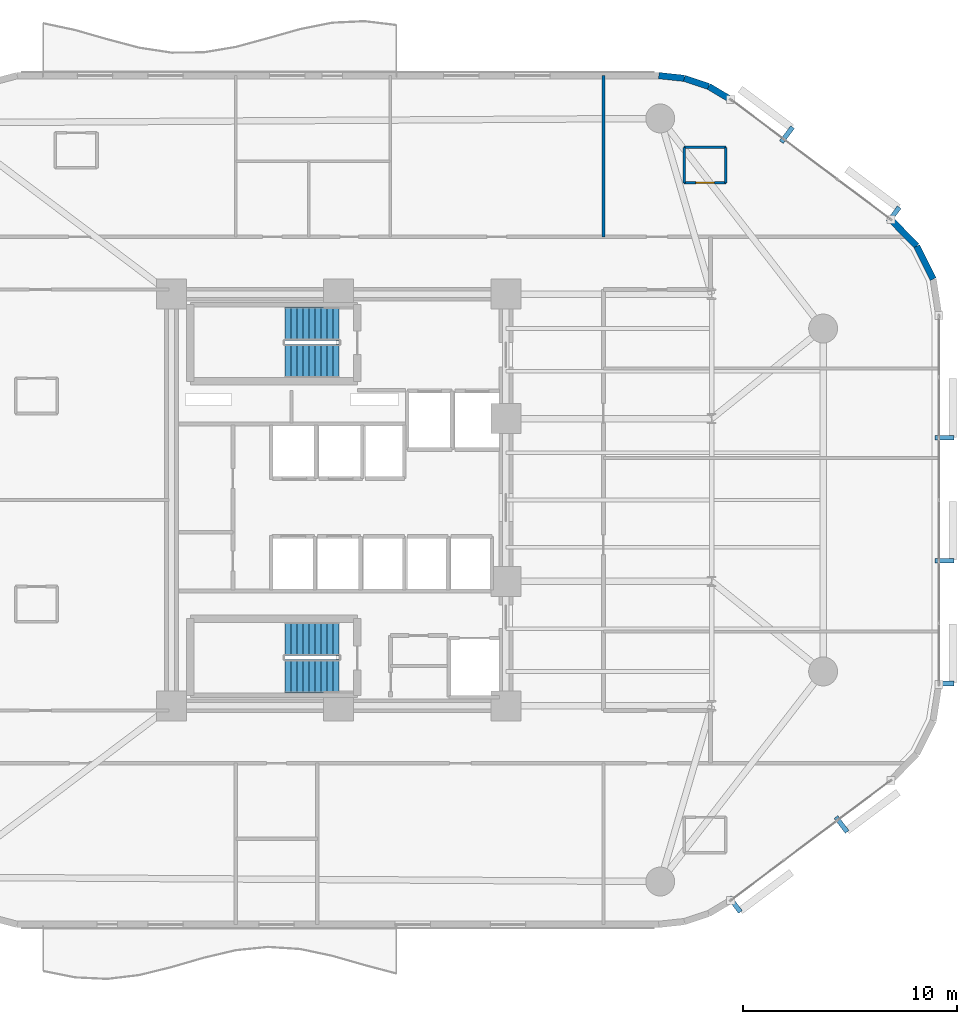
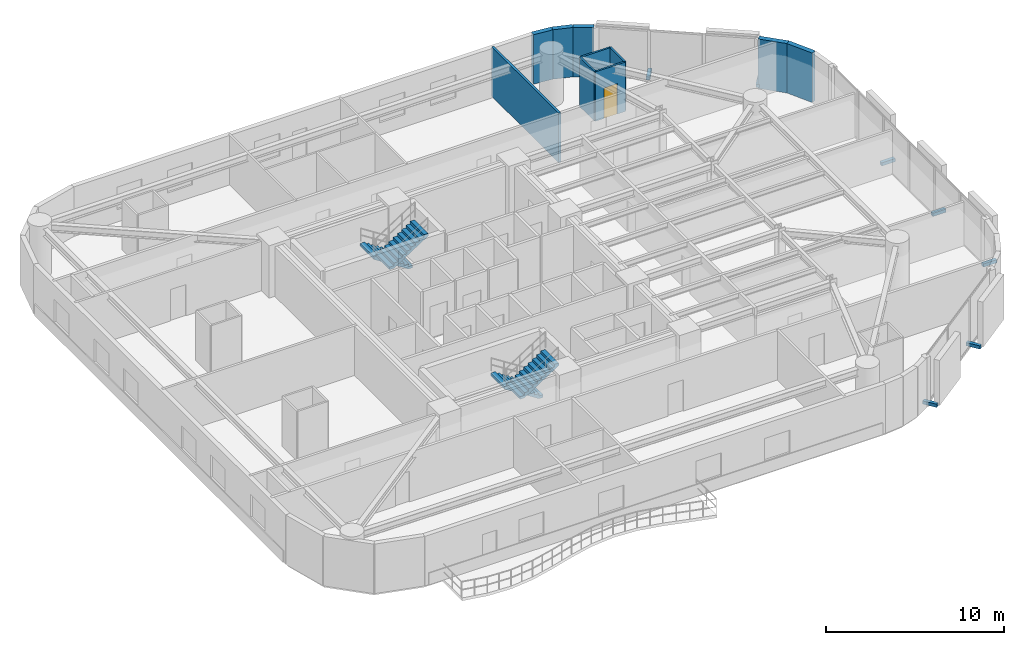
# One storey, part 13 of 15: 10 walls, 7 discrete accessories, 4 stair flights, 1 door, 1 opening, 2 elements without a shape of their own.
"""IFC4 building model written with IfcOpenShell, lengths in metres."""

from ifc_helpers import new_model, si_unit, direction, frame, frame_2d, origin, origin_2d, place, context, subcontext, project, spatial, polyline, rectangle, outline, extrude, material, layer, layer_set, type_object, element, fill, aggregate, save


model = new_model("IFC4")

# Units and contexts
model_context = context("Model", 3, precision=1e-05, world=origin(), true_north=direction((0.0, 1.0)))
body_context = subcontext(model_context, "Body", "Model", "MODEL_VIEW")
ifc_project = project(units=[si_unit("LENGTHUNIT", "METRE"), si_unit("AREAUNIT", "SQUARE_METRE"), si_unit("VOLUMEUNIT", "CUBIC_METRE"), si_unit("PLANEANGLEUNIT", "RADIAN"), si_unit("MASSUNIT", "GRAM", prefix="KILO")], contexts=[model_context])

# Site, building, storey
site_placement = place(None, origin())
site = spatial("IfcSite", under=ifc_project, at=site_placement, CompositionType="ELEMENT")
building_placement = place(site_placement, origin())
building = spatial("IfcBuilding", under=site, at=building_placement, Name="An Khanh Terracotta Commons", CompositionType="ELEMENT")
storey_placement = place(building_placement, frame((0.0, 0.0, 122.300048828125)))
storey = spatial("IfcBuildingStorey", under=building, at=storey_placement, Name="L32", CompositionType="ELEMENT", Elevation=122.300048828125)

# Walls
ifc_material_1 = material(Name="Precast concrete C40/50", Category="concrete")
ifc_layer_1 = layer(ifc_material_1, 0.300048828125, Name="Precast concrete C40/50")
ifc_layer_set_1 = layer_set([ifc_layer_1], Name="Precast concrete C40/50")
wall_type_1 = type_object("IfcWallType", Name="WALL-EXT-300", PredefinedType="SOLIDWALL", material=ifc_layer_set_1)
for number, where, z_axis, x_axis, name in (
    (1, (57.135009765625, 34.303955078125, 0.0), (0.0, 0.0, 1.0), (-0.4472135955, 0.894427191, 0.0), "L32 Insulated Terracotta Exterior Wall 14"),
    (2, (56.364013671875, 35.845947265625, 0.0), (0.0, 0.0, 1.0), (-0.6983450845, 0.715761233201, 0.0), "L32 Insulated Terracotta Exterior Wall 15"),
):
    element("IfcWall", number, at=place(storey_placement, frame(where, z_axis=z_axis, x_axis=x_axis)), inside=storey, type_object=wall_type_1, Name=name, PredefinedType="SOLIDWALL", context=body_context, shape_type="SweptSolid", body=[
        extrude(rectangle(XDim=1.72412109375, YDim=0.300048828125, at=frame_2d((0.862060546875, 0.0))), origin(), (0.0, 0.0, 1.0), 3.39990234375),
    ])
wall_1_placement = place(storey_placement, frame((47.693115234375, 42.679931640625, 0.0), z_axis=(0.0, 0.0, 1.0), x_axis=(-0.859320591642, 0.511437308749, 0.0)))
element("IfcWall", 3, at=wall_1_placement, inside=storey, type_object=wall_type_1, Name="L32 Insulated Terracotta Exterior Wall 17", PredefinedType="SOLIDWALL", context=body_context, shape_type="SweptSolid", body=[
    extrude(rectangle(XDim=1.19873046875, YDim=0.300048828125, at=frame_2d((0.599365234375, 0.0))), origin(), (0.0, 0.0, 1.0), 3.39990234375),
])
wall_2_placement = place(storey_placement, frame((46.6630859375, 43.29296875, 0.0), z_axis=(0.0, 0.0, 1.0), x_axis=(-0.948744332129, 0.316044604847, 0.0)))
element("IfcWall", 4, at=wall_2_placement, inside=storey, type_object=wall_type_1, Name="L32 Insulated Terracotta Exterior Wall 18", PredefinedType="SOLIDWALL", context=body_context, shape_type="SweptSolid", body=[
    extrude(rectangle(XDim=1.19970703125, YDim=0.300048828125, at=frame_2d((0.599853515625, 0.0))), origin(), (0.0, 0.0, 1.0), 3.39990234375),
])
wall_3_placement = place(storey_placement, frame((45.52490234375, 43.672119140625, 0.0), z_axis=(0.0, 0.0, 1.0), x_axis=(-0.994289103787, 0.106720092254, 0.0)))
element("IfcWall", 5, at=wall_3_placement, inside=storey, type_object=wall_type_1, Name="L32 Insulated Terracotta Exterior Wall 19", PredefinedType="SOLIDWALL", context=body_context, shape_type="SweptSolid", body=[
    extrude(rectangle(XDim=1.19873046875, YDim=0.300048828125, at=frame_2d((0.599365234375, 0.0))), origin(), (0.0, 0.0, 1.0), 3.39990234375),
])
ifc_material_2 = material(Name="Acoustic Gypsum Board Partition")
ifc_layer_2 = layer(ifc_material_2, 0.14990234375, Name="Acoustic Gypsum Board Partition")
ifc_layer_set_2 = layer_set([ifc_layer_2], Name="Acoustic Gypsum Board Partition")
wall_type_2 = type_object("IfcWallType", Name="WALL-PART-150", PredefinedType="PARTITIONING", material=ifc_layer_set_2)
wall_4_placement = place(storey_placement, frame((41.75, 36.280029296875, 0.0), z_axis=(0.0, 0.0, 1.0), x_axis=(0.0, 1.0, 0.0)))
element("IfcWall", 6, at=wall_4_placement, inside=storey, type_object=wall_type_2, Name="L32 Interior Partition IW-L32-E022", PredefinedType="PARTITIONING", context=body_context, shape_type="SweptSolid", body=[
    extrude(rectangle(XDim=7.52001953125, YDim=0.14990234375, at=frame_2d((3.760009765625, 0.0))), origin(), (0.0, 0.0, 1.0), 3.39990234375),
])
ifc_material_3 = material(Name="Moisture-Resistant Cement Board Partition")
ifc_layer_3 = layer(ifc_material_3, 0.1201171875, Name="Moisture-Resistant Cement Board Partition")
ifc_layer_set_3 = layer_set([ifc_layer_3], Name="Moisture-Resistant Cement Board Partition")
wall_type_3 = type_object("IfcWallType", Name="WALL-WET-120", PredefinedType="PARTITIONING", material=ifc_layer_set_3)
wall_5_placement = place(storey_placement, frame((45.51611328125, 40.450927734375, 0.0), z_axis=(0.0, 0.0, 1.0), x_axis=(1.0, 0.0, 0.0)))
element("IfcWall", 7, at=wall_5_placement, inside=storey, type_object=wall_type_3, Name="L32 Interior Partition IW-L32-FANN-BN", PredefinedType="PARTITIONING", context=body_context, shape_type="SweptSolid", body=[
    extrude(rectangle(XDim=1.949951171875, YDim=0.1201171875, at=frame_2d((0.97509765625, 0.0))), origin(), (0.0, 0.0, 1.0), 3.39990234375),
])

# Wall, opening, door
wall_6_placement = place(storey_placement, frame((47.466064453125, 38.801025390625, 0.0), z_axis=(0.0, 0.0, 1.0), x_axis=(-1.0, 0.0, 0.0)))
wall_6 = element("IfcWall", 8, at=wall_6_placement, inside=storey, type_object=wall_type_3, Name="L32 Interior Partition IW-L32-FANN-BS", PredefinedType="PARTITIONING", context=body_context, shape_type="SweptSolid", body=[
    extrude(rectangle(XDim=1.949951171875, YDim=0.1201171875, at=frame_2d((0.97509765625, 0.0))), origin(), (0.0, 0.0, 1.0), 3.39990234375),
])
opening_placement = place(wall_6_placement, frame((0.544921875, 0.0, 0.0)))
opening = element("IfcOpeningElement", 9, at=opening_placement, cuts=wall_6, Name="Opening D-ENS", PredefinedType="OPENING", context=body_context, shape_type="SweptSolid", body=[
    extrude(rectangle(XDim=0.860107421875, YDim=2.10009765625, at=frame_2d((0.43017578125, 1.050048828125))), frame((0.0, 0.070068359375, 0.0), z_axis=(0.0, -1.0, 0.0), x_axis=(1.0, 0.0, 0.0)), (0.0, 0.0, 1.0), 0.14013671875),
])
ifc_material_4 = material(Name="Moisture-Resistant Hardwood Timber Leaf", Category="wood")
door_type = type_object("IfcDoorType", Name="DOOR-BATH-860", OperationType="NOTDEFINED", PredefinedType="DOOR", material=ifc_material_4)
door_placement = place(opening_placement, origin())
door = element("IfcDoor", 10, at=door_placement, inside=storey, type_object=door_type, Name="L32 Studio FANN En-suite Door", OperationType="SINGLE_SWING_LEFT", OverallHeight=2.10009765625, OverallWidth=0.860107421875, PredefinedType="DOOR", context=body_context, shape_type="SweptSolid", body=[
    extrude(rectangle(XDim=0.860107421875, YDim=2.10009765625, at=frame_2d((0.43017578125, 1.050048828125))), frame((0.0, 0.02490234375, 0.0), z_axis=(0.0, -1.0, 0.0), x_axis=(1.0, 0.0, 0.0)), (0.0, 0.0, 1.0), 0.050048828125),
])
fill(opening, door)

# Walls
for number, where, z_axis, x_axis, name in (
    (11, (45.51611328125, 40.450927734375, 0.0), (0.0, 0.0, 1.0), (0.0, -1.0, 0.0), "L32 Interior Partition IW-L32-FANN-BW"),
    (12, (47.466064453125, 38.801025390625, 0.0), (0.0, 0.0, 1.0), (0.0, 1.0, 0.0), "L32 Interior Partition IW-L32-FANN-BE"),
):
    element("IfcWall", number, at=place(storey_placement, frame(where, z_axis=z_axis, x_axis=x_axis)), inside=storey, type_object=wall_type_3, Name=name, PredefinedType="PARTITIONING", context=body_context, shape_type="SweptSolid", body=[
        extrude(rectangle(XDim=1.64990234375, YDim=0.1201171875, at=frame_2d((0.824951171875, 0.0))), origin(), (0.0, 0.0, 1.0), 3.39990234375),
    ])

# Stair, stair flights
stair_type = type_object("IfcStairType", Name="STAIR-CORE-1550", PredefinedType="HALF_TURN_STAIR", material=ifc_material_1)
stair_1_placement = place(storey_placement, origin())
stair_1 = element("IfcStair", 13, at=stair_1_placement, inside=storey, type_object=stair_type, Name="L32 Core Smokeproof Exit Stair ST-01", PredefinedType="HALF_TURN_STAIR")
stair_flight_type = type_object("IfcStairFlightType", Name="FLIGHT-CORE-1550", PredefinedType="STRAIGHT", material=ifc_material_1)
stair_flight_1_placement = place(storey_placement, frame((29.409912109375, 32.22509765625, 0.0), z_axis=(0.0, 0.0, 1.0), x_axis=(-1.0, 0.0, 0.0)))
stair_flight_1 = element("IfcStairFlight", 14, at=stair_flight_1_placement, type_object=stair_flight_type, Name="ST-01 flight 1", NumberOfRisers=10, NumberOfTreads=9, PredefinedType="STRAIGHT", RiserHeight=0.18, TreadLength=0.28, context=body_context, shape_type="SweptSolid", body=[
    extrude(outline(polyline([(0.0, 0.0), (0.0, 0.179931640625), (0.280029296875, 0.179931640625), (0.280029296875, 0.360107421875), (0.56005859375, 0.360107421875), (0.56005859375, 0.5400390625), (0.840087890625, 0.5400390625), (0.840087890625, 0.719970703125), (1.1201171875, 0.719970703125), (1.1201171875, 0.89990234375), (1.39990234375, 0.89990234375), (1.39990234375, 1.080078125), (1.679931640625, 1.080078125), (1.679931640625, 1.260009765625), (1.9599609375, 1.260009765625), (1.9599609375, 1.43994140625), (2.239990234375, 1.43994140625), (2.239990234375, 1.6201171875), (2.52001953125, 1.6201171875), (2.52001953125, 1.800048828125), (2.52001953125, 1.44189453125), (0.277099609375, 0.0), (0.0, 0.0)])), frame((0.0, 0.77490234375, 0.0), z_axis=(0.0, -1.0, 0.0), x_axis=(1.0, 0.0, 0.0)), (0.0, 0.0, 1.0), 1.550048828125),
])
stair_flight_2_placement = place(storey_placement, frame((26.889892578125, 30.47509765625, 1.800048828125), z_axis=(0.0, 0.0, 1.0), x_axis=(1.0, 0.0, 0.0)))
stair_flight_2 = element("IfcStairFlight", 15, at=stair_flight_2_placement, type_object=stair_flight_type, Name="ST-01 flight 2", NumberOfRisers=10, NumberOfTreads=9, PredefinedType="STRAIGHT", RiserHeight=0.18, TreadLength=0.28, context=body_context, shape_type="SweptSolid", body=[
    extrude(outline(polyline([(0.0, 0.0), (0.0, 0.179931640625), (0.280029296875, 0.179931640625), (0.280029296875, 0.360107421875), (0.56005859375, 0.360107421875), (0.56005859375, 0.5400390625), (0.840087890625, 0.5400390625), (0.840087890625, 0.719970703125), (1.1201171875, 0.719970703125), (1.1201171875, 0.89990234375), (1.39990234375, 0.89990234375), (1.39990234375, 1.080078125), (1.679931640625, 1.080078125), (1.679931640625, 1.260009765625), (1.9599609375, 1.260009765625), (1.9599609375, 1.43994140625), (2.239990234375, 1.43994140625), (2.239990234375, 1.6201171875), (2.52001953125, 1.6201171875), (2.52001953125, 1.800048828125), (2.52001953125, 1.44189453125), (0.277099609375, 0.0), (0.0, 0.0)])), frame((0.0, 0.77490234375, 0.0), z_axis=(0.0, -1.0, 0.0), x_axis=(1.0, 0.0, 0.0)), (0.0, 0.0, 1.0), 1.550048828125),
])
aggregate(stair_1, [stair_flight_1, stair_flight_2])

stair_2_placement = place(storey_placement, origin())
stair_2 = element("IfcStair", 16, at=stair_2_placement, inside=storey, type_object=stair_type, Name="L32 Core Smokeproof Exit Stair ST-02", PredefinedType="HALF_TURN_STAIR")
stair_flight_3_placement = place(storey_placement, frame((29.409912109375, 17.52490234375, 0.0), z_axis=(0.0, 0.0, 1.0), x_axis=(-1.0, 0.0, 0.0)))
stair_flight_3 = element("IfcStairFlight", 17, at=stair_flight_3_placement, type_object=stair_flight_type, Name="ST-02 flight 1", NumberOfRisers=10, NumberOfTreads=9, PredefinedType="STRAIGHT", RiserHeight=0.18, TreadLength=0.28, context=body_context, shape_type="SweptSolid", body=[
    extrude(outline(polyline([(0.0, 0.0), (0.0, 0.179931640625), (0.280029296875, 0.179931640625), (0.280029296875, 0.360107421875), (0.56005859375, 0.360107421875), (0.56005859375, 0.5400390625), (0.840087890625, 0.5400390625), (0.840087890625, 0.719970703125), (1.1201171875, 0.719970703125), (1.1201171875, 0.89990234375), (1.39990234375, 0.89990234375), (1.39990234375, 1.080078125), (1.679931640625, 1.080078125), (1.679931640625, 1.260009765625), (1.9599609375, 1.260009765625), (1.9599609375, 1.43994140625), (2.239990234375, 1.43994140625), (2.239990234375, 1.6201171875), (2.52001953125, 1.6201171875), (2.52001953125, 1.800048828125), (2.52001953125, 1.44189453125), (0.277099609375, 0.0), (0.0, 0.0)])), frame((0.0, 0.77490234375, 0.0), z_axis=(0.0, -1.0, 0.0), x_axis=(1.0, 0.0, 0.0)), (0.0, 0.0, 1.0), 1.550048828125),
])
stair_flight_4_placement = place(storey_placement, frame((26.889892578125, 15.77490234375, 1.800048828125), z_axis=(0.0, 0.0, 1.0), x_axis=(1.0, 0.0, 0.0)))
stair_flight_4 = element("IfcStairFlight", 18, at=stair_flight_4_placement, type_object=stair_flight_type, Name="ST-02 flight 2", NumberOfRisers=10, NumberOfTreads=9, PredefinedType="STRAIGHT", RiserHeight=0.18, TreadLength=0.28, context=body_context, shape_type="SweptSolid", body=[
    extrude(outline(polyline([(0.0, 0.0), (0.0, 0.179931640625), (0.280029296875, 0.179931640625), (0.280029296875, 0.360107421875), (0.56005859375, 0.360107421875), (0.56005859375, 0.5400390625), (0.840087890625, 0.5400390625), (0.840087890625, 0.719970703125), (1.1201171875, 0.719970703125), (1.1201171875, 0.89990234375), (1.39990234375, 0.89990234375), (1.39990234375, 1.080078125), (1.679931640625, 1.080078125), (1.679931640625, 1.260009765625), (1.9599609375, 1.260009765625), (1.9599609375, 1.43994140625), (2.239990234375, 1.43994140625), (2.239990234375, 1.6201171875), (2.52001953125, 1.6201171875), (2.52001953125, 1.800048828125), (2.52001953125, 1.44189453125), (0.277099609375, 0.0), (0.0, 0.0)])), frame((0.0, 0.77490234375, 0.0), z_axis=(0.0, -1.0, 0.0), x_axis=(1.0, 0.0, 0.0)), (0.0, 0.0, 1.0), 1.550048828125),
])
aggregate(stair_2, [stair_flight_3, stair_flight_4])

# Discrete accessories
ifc_material_5 = material(Name="Stainless Steel Grade 316L", Category="steel")
discrete_accessory_type = type_object("IfcDiscreteAccessoryType", Name="Stainless Outrigger Facade Bracket", PredefinedType="BRACKET", material=ifc_material_5)
for number, where, z_axis, x_axis, name in (
    (19, (47.8798828125, 5.12890625, 0.06982421875), (0.0, 0.0, 1.0), (0.800012856594, 0.599982857492, 0.0), "L32 Terracotta Screen Outrigger Bracket 1"),
    (20, (52.85791015625, 8.862060546875, 0.06982421875), (0.0, 0.0, 1.0), (0.800012856594, 0.599982857492, 0.0), "L32 Terracotta Screen Outrigger Bracket 3"),
    (21, (57.6650390625, 15.43505859375, 0.06982421875), (0.0, 0.0, 1.0), (0.0, 1.0, 0.0), "L32 Terracotta Screen Outrigger Bracket 1"),
    (22, (57.6650390625, 21.16796875, 0.06982421875), (0.0, 0.0, 1.0), (0.0, 1.0, 0.0), "L32 Terracotta Screen Outrigger Bracket 3"),
    (23, (57.6650390625, 26.902099609375, 0.06982421875), (0.0, 0.0, 1.0), (0.0, 1.0, 0.0), "L32 Terracotta Screen Outrigger Bracket 5"),
    (24, (55.291015625, 37.31298828125, 0.06982421875), (0.0, 0.0, 1.0), (-0.800012856594, 0.599982857492, 0.0), "L32 Terracotta Screen Outrigger Bracket 1"),
    (25, (50.31298828125, 41.0458984375, 0.06982421875), (0.0, 0.0, 1.0), (-0.800012856594, 0.599982857492, 0.0), "L32 Terracotta Screen Outrigger Bracket 3"),
):
    element("IfcDiscreteAccessory", number, at=place(storey_placement, frame(where, z_axis=z_axis, x_axis=x_axis)), inside=storey, type_object=discrete_accessory_type, Name=name, PredefinedType="BRACKET", context=body_context, shape_type="SweptSolid", body=[
        extrude(rectangle(XDim=0.219970703125, YDim=0.8701171875, at=origin_2d()), origin(), (0.0, 0.0, 1.0), 0.219970703125),
    ])

save(model, "model.ifc")
